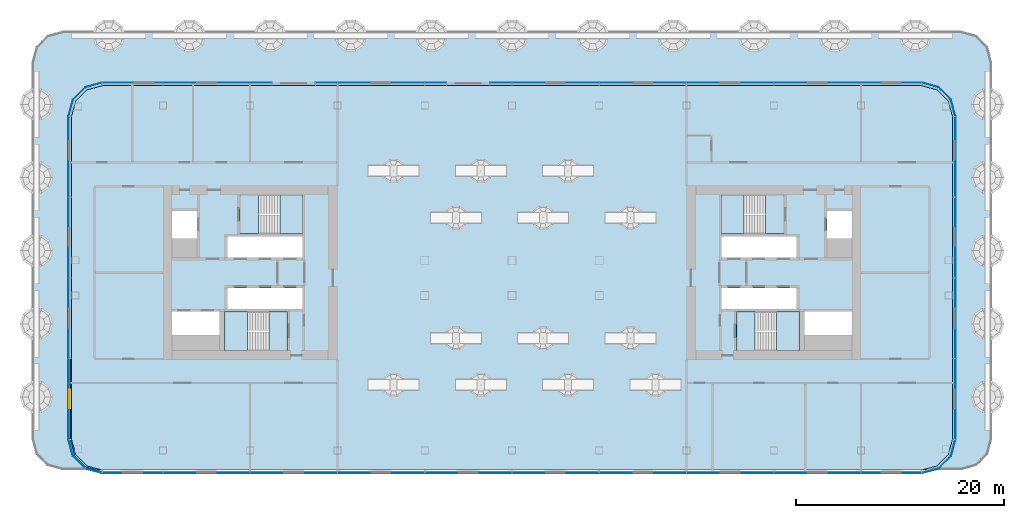
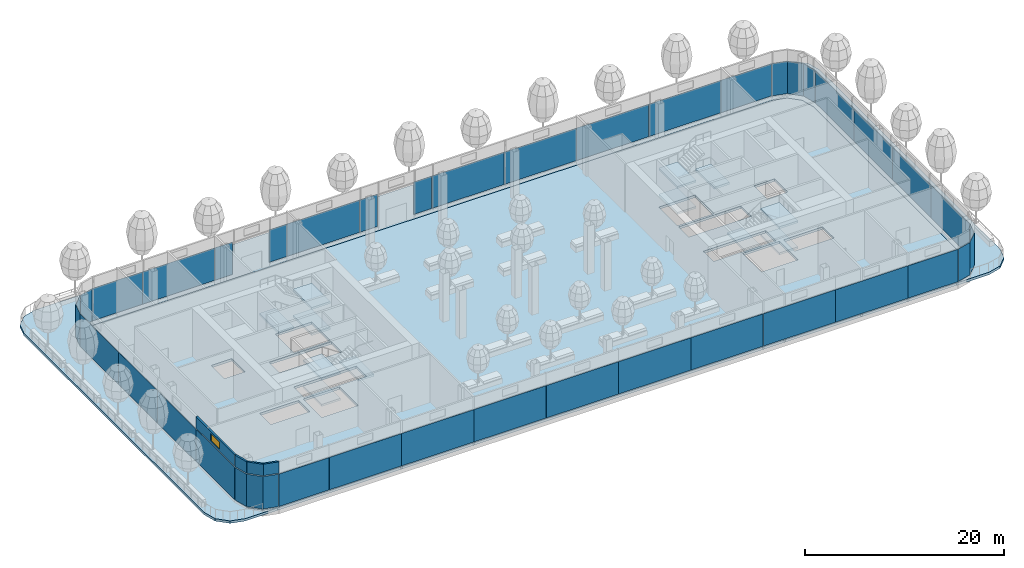
# One storey, part 11 of 43: 34 plates, 14 slabs, 4 walls, 1 window, 1 opening, 12 elements without a shape of their own.
"""IFC4 building model written with IfcOpenShell, lengths in metres."""

from ifc_helpers import new_model, si_unit, direction, frame, frame_2d, origin, origin_2d, place, context, subcontext, project, spatial, polyline, rectangle, outline, extrude, material, layer, layer_set, type_object, element, fill, aggregate, save


model = new_model("IFC4")

# Units and contexts
model_context = context("Model", 3, precision=1e-05, world=origin(), true_north=direction((0.0, 1.0)))
body_context = subcontext(model_context, "Body", "Model", "MODEL_VIEW")
ifc_project = project(units=[si_unit("LENGTHUNIT", "METRE"), si_unit("AREAUNIT", "SQUARE_METRE"), si_unit("VOLUMEUNIT", "CUBIC_METRE"), si_unit("PLANEANGLEUNIT", "RADIAN"), si_unit("MASSUNIT", "GRAM", prefix="KILO")], contexts=[model_context])

# Site, building, storey
site_placement = place(None, origin())
site = spatial("IfcSite", under=ifc_project, at=site_placement, CompositionType="ELEMENT")
building_placement = place(site_placement, origin())
building = spatial("IfcBuilding", under=site, at=building_placement, Name="Hakoniwa Tower and Hamabe Station Hall", CompositionType="ELEMENT")
storey_placement = place(building_placement, frame((0.0, 0.0, 124.60009765625)))
storey = spatial("IfcBuildingStorey", under=building, at=storey_placement, Name="L35", CompositionType="ELEMENT", Elevation=124.60009765625)

# Stair, slabs
ifc_material_1 = material(Name="Concrete C40", Category="concrete")
stair_type = type_object("IfcStairType", Name="ESCAPE STAIR 1800", PredefinedType="HALF_TURN_STAIR", material=ifc_material_1)
stair_1_placement = place(storey_placement, origin())
stair_1 = element("IfcStair", 1, at=stair_1_placement, inside=storey, type_object=stair_type, Name="Escape stair ST-1 L35", PredefinedType="HALF_TURN_STAIR")
ifc_material_2 = material(Name="Concrete C40", Category="concrete")
ifc_layer_1 = layer(ifc_material_2, 0.25)
ifc_layer_set_1 = layer_set([ifc_layer_1], Name="CORE STAIR LANDING 250")
slab_type_1 = type_object("IfcSlabType", Name="CORE STAIR LANDING 250", PredefinedType="LANDING", material=ifc_layer_set_1)
slab_1_placement = place(storey_placement, frame((0.0, 0.0, 1.349853515625)))
slab_1 = element("IfcSlab", 2, at=slab_1_placement, type_object=slab_type_1, Name="ST-1 landing 1", PredefinedType="LANDING", context=body_context, shape_type="SweptSolid", body=[
    extrude(outline(polyline([(-22.320068359375, 3.75), (-20.14990234375, 3.75), (-20.14990234375, 7.5), (-22.320068359375, 7.5), (-22.320068359375, 3.75)])), origin(), (0.0, 0.0, 1.0), 0.25),
])
slab_2_placement = place(storey_placement, frame((0.0, 0.0, 2.949951171875)))
slab_2 = element("IfcSlab", 3, at=slab_2_placement, type_object=slab_type_1, Name="ST-1 landing 2", PredefinedType="LANDING", context=body_context, shape_type="SweptSolid", body=[
    extrude(outline(polyline([(-26.199951171875, 3.75), (-24.39990234375, 3.75), (-24.39990234375, 7.5), (-26.199951171875, 7.5), (-26.199951171875, 3.75)])), origin(), (0.0, 0.0, 1.0), 0.25),
])
slab_3_placement = place(storey_placement, frame((0.0, 0.0, 4.5498046875)))
slab_3 = element("IfcSlab", 4, at=slab_3_placement, type_object=slab_type_1, Name="ST-1 landing 3", PredefinedType="LANDING", context=body_context, shape_type="SweptSolid", body=[
    extrude(outline(polyline([(-22.320068359375, 3.75), (-20.14990234375, 3.75), (-20.14990234375, 7.5), (-22.320068359375, 7.5), (-22.320068359375, 3.75)])), origin(), (0.0, 0.0, 1.0), 0.25),
])
aggregate(stair_1, [slab_1, slab_2, slab_3])

stair_2_placement = place(storey_placement, origin())
stair_2 = element("IfcStair", 5, at=stair_2_placement, inside=storey, type_object=stair_type, Name="Escape stair ST-2 L35", PredefinedType="HALF_TURN_STAIR")
slab_4_placement = place(storey_placement, frame((0.0, 0.0, 1.349853515625)))
slab_4 = element("IfcSlab", 6, at=slab_4_placement, type_object=slab_type_1, Name="ST-2 landing 1", PredefinedType="LANDING", context=body_context, shape_type="SweptSolid", body=[
    extrude(outline(polyline([(-25.47998046875, -7.5), (-27.64990234375, -7.5), (-27.64990234375, -3.75), (-25.47998046875, -3.75), (-25.47998046875, -7.5)])), origin(), (0.0, 0.0, 1.0), 0.25),
])
slab_5_placement = place(storey_placement, frame((0.0, 0.0, 2.949951171875)))
slab_5 = element("IfcSlab", 7, at=slab_5_placement, type_object=slab_type_1, Name="ST-2 landing 2", PredefinedType="LANDING", context=body_context, shape_type="SweptSolid", body=[
    extrude(outline(polyline([(-21.60009765625, -7.5), (-23.39990234375, -7.5), (-23.39990234375, -3.75), (-21.60009765625, -3.75), (-21.60009765625, -7.5)])), origin(), (0.0, 0.0, 1.0), 0.25),
])
slab_6_placement = place(storey_placement, frame((0.0, 0.0, 4.5498046875)))
slab_6 = element("IfcSlab", 8, at=slab_6_placement, type_object=slab_type_1, Name="ST-2 landing 3", PredefinedType="LANDING", context=body_context, shape_type="SweptSolid", body=[
    extrude(outline(polyline([(-25.47998046875, -7.5), (-27.64990234375, -7.5), (-27.64990234375, -3.75), (-25.47998046875, -3.75), (-25.47998046875, -7.5)])), origin(), (0.0, 0.0, 1.0), 0.25),
])
aggregate(stair_2, [slab_4, slab_5, slab_6])

stair_3_placement = place(storey_placement, origin())
stair_3 = element("IfcStair", 9, at=stair_3_placement, inside=storey, type_object=stair_type, Name="Escape stair ST-3 L35", PredefinedType="HALF_TURN_STAIR")
slab_7_placement = place(storey_placement, frame((0.0, 0.0, 1.349853515625)))
slab_7 = element("IfcSlab", 10, at=slab_7_placement, type_object=slab_type_1, Name="ST-3 landing 1", PredefinedType="LANDING", context=body_context, shape_type="SweptSolid", body=[
    extrude(outline(polyline([(22.320068359375, 3.75), (20.14990234375, 3.75), (20.14990234375, 7.5), (22.320068359375, 7.5), (22.320068359375, 3.75)])), origin(), (0.0, 0.0, 1.0), 0.25),
])
slab_8_placement = place(storey_placement, frame((0.0, 0.0, 2.949951171875)))
slab_8 = element("IfcSlab", 11, at=slab_8_placement, type_object=slab_type_1, Name="ST-3 landing 2", PredefinedType="LANDING", context=body_context, shape_type="SweptSolid", body=[
    extrude(outline(polyline([(26.199951171875, 3.75), (24.39990234375, 3.75), (24.39990234375, 7.5), (26.199951171875, 7.5), (26.199951171875, 3.75)])), origin(), (0.0, 0.0, 1.0), 0.25),
])
slab_9_placement = place(storey_placement, frame((0.0, 0.0, 4.5498046875)))
slab_9 = element("IfcSlab", 12, at=slab_9_placement, type_object=slab_type_1, Name="ST-3 landing 3", PredefinedType="LANDING", context=body_context, shape_type="SweptSolid", body=[
    extrude(outline(polyline([(22.320068359375, 3.75), (20.14990234375, 3.75), (20.14990234375, 7.5), (22.320068359375, 7.5), (22.320068359375, 3.75)])), origin(), (0.0, 0.0, 1.0), 0.25),
])
aggregate(stair_3, [slab_7, slab_8, slab_9])

stair_4_placement = place(storey_placement, origin())
stair_4 = element("IfcStair", 13, at=stair_4_placement, inside=storey, type_object=stair_type, Name="Escape stair ST-4 L35", PredefinedType="HALF_TURN_STAIR")
slab_10_placement = place(storey_placement, frame((0.0, 0.0, 1.349853515625)))
slab_10 = element("IfcSlab", 14, at=slab_10_placement, type_object=slab_type_1, Name="ST-4 landing 1", PredefinedType="LANDING", context=body_context, shape_type="SweptSolid", body=[
    extrude(outline(polyline([(25.47998046875, -7.5), (27.64990234375, -7.5), (27.64990234375, -3.75), (25.47998046875, -3.75), (25.47998046875, -7.5)])), origin(), (0.0, 0.0, 1.0), 0.25),
])
slab_11_placement = place(storey_placement, frame((0.0, 0.0, 2.949951171875)))
slab_11 = element("IfcSlab", 15, at=slab_11_placement, type_object=slab_type_1, Name="ST-4 landing 2", PredefinedType="LANDING", context=body_context, shape_type="SweptSolid", body=[
    extrude(outline(polyline([(21.60009765625, -7.5), (23.39990234375, -7.5), (23.39990234375, -3.75), (21.60009765625, -3.75), (21.60009765625, -7.5)])), origin(), (0.0, 0.0, 1.0), 0.25),
])
slab_12_placement = place(storey_placement, frame((0.0, 0.0, 4.5498046875)))
slab_12 = element("IfcSlab", 16, at=slab_12_placement, type_object=slab_type_1, Name="ST-4 landing 3", PredefinedType="LANDING", context=body_context, shape_type="SweptSolid", body=[
    extrude(outline(polyline([(25.47998046875, -7.5), (27.64990234375, -7.5), (27.64990234375, -3.75), (25.47998046875, -3.75), (25.47998046875, -7.5)])), origin(), (0.0, 0.0, 1.0), 0.25),
])
aggregate(stair_4, [slab_10, slab_11, slab_12])

# Curtain wall, plates
ifc_material_3 = material(Name="Dark low-e laminated glass", Category="glass")
ifc_layer_2 = layer(ifc_material_3, 0.199951171875)
ifc_layer_set_2 = layer_set([ifc_layer_2], Name="CW-2 SKY GARDEN")
curtain_wall_type = type_object("IfcCurtainWallType", Name="CW-2 SKY GARDEN", PredefinedType="NOTDEFINED", material=ifc_layer_set_2)
curtain_wall_1_placement = place(storey_placement, origin())
curtain_wall_1 = element("IfcCurtainWall", 17, at=curtain_wall_1_placement, inside=storey, type_object=curtain_wall_type, Name="CW-2 curtain wall", PredefinedType="NOTDEFINED")
ifc_material_4 = material(Name="Dark low-e laminated glass", Category="glass")
ifc_layer_3 = layer(ifc_material_4, 0.031982421875)
ifc_layer_set_3 = layer_set([ifc_layer_3], Name="CW-2 GARDEN GLASS UNIT")
plate_type = type_object("IfcPlateType", Name="CW-2 GARDEN GLASS UNIT", PredefinedType="CURTAIN_PANEL", material=ifc_layer_set_3)
plate_1_placement = place(storey_placement, frame((42.68603515625, -12.154541015625, 0.349853515625), z_axis=(0.0, 0.0, 1.0), x_axis=(0.0, 1.0, 0.0)))
plate_1 = element("IfcPlate", 18, at=plate_1_placement, type_object=plate_type, Name="CW-2 glass unit", PredefinedType="CURTAIN_PANEL", context=body_context, shape_type="SweptSolid", body=[
    extrude(rectangle(XDim=7.749755859375, YDim=0.031982421875, at=origin_2d()), origin(), (0.0, 0.0, 1.0), 3.97998046875),
])
plate_2_placement = place(storey_placement, frame((42.68603515625, -4.384765625, 0.349853515625), z_axis=(0.0, 0.0, 1.0), x_axis=(0.0, 1.0, 0.0)))
plate_2 = element("IfcPlate", 19, at=plate_2_placement, type_object=plate_type, Name="CW-2 glass unit", PredefinedType="CURTAIN_PANEL", context=body_context, shape_type="SweptSolid", body=[
    extrude(rectangle(XDim=7.749755859375, YDim=0.031982421875, at=origin_2d()), origin(), (0.0, 0.0, 1.0), 3.97998046875),
])
plate_3_placement = place(storey_placement, frame((42.68603515625, 3.384765625, 0.349853515625), z_axis=(0.0, 0.0, 1.0), x_axis=(0.0, 1.0, 0.0)))
plate_3 = element("IfcPlate", 20, at=plate_3_placement, type_object=plate_type, Name="CW-2 glass unit", PredefinedType="CURTAIN_PANEL", context=body_context, shape_type="SweptSolid", body=[
    extrude(rectangle(XDim=7.749755859375, YDim=0.031982421875, at=origin_2d()), origin(), (0.0, 0.0, 1.0), 3.97998046875),
])
plate_4_placement = place(storey_placement, frame((42.68603515625, 11.154541015625, 0.349853515625), z_axis=(0.0, 0.0, 1.0), x_axis=(0.0, 1.0, 0.0)))
plate_4 = element("IfcPlate", 21, at=plate_4_placement, type_object=plate_type, Name="CW-2 glass unit", PredefinedType="CURTAIN_PANEL", context=body_context, shape_type="SweptSolid", body=[
    extrude(rectangle(XDim=7.749755859375, YDim=0.031982421875, at=origin_2d()), origin(), (0.0, 0.0, 1.0), 3.97998046875),
])
aggregate(curtain_wall_1, [plate_1, plate_2, plate_3, plate_4])

# Curtain wall, plate
curtain_wall_2_placement = place(storey_placement, origin())
curtain_wall_2 = element("IfcCurtainWall", 22, at=curtain_wall_2_placement, inside=storey, type_object=curtain_wall_type, Name="CW-2 curtain wall", PredefinedType="NOTDEFINED")
plate_5_placement = place(storey_placement, frame((0.0, 0.0, 0.349853515625)))
plate_5 = element("IfcPlate", 23, at=plate_5_placement, type_object=plate_type, Name="CW-2 curved corner unit", PredefinedType="CURTAIN_PANEL", context=body_context, shape_type="SweptSolid", body=[
    extrude(outline(polyline([(42.689697265625, 15.078125), (42.26708984375, 16.6552734375), (41.05517578125, 17.866943359375), (39.47802734375, 18.28955078125), (39.470947265625, 18.2626953125), (41.040771484375, 17.842041015625), (42.241943359375, 16.640869140625), (42.66259765625, 15.07080078125), (42.689697265625, 15.078125)])), origin(), (0.0, 0.0, 1.0), 3.97998046875),
])
aggregate(curtain_wall_2, [plate_5])

# Curtain wall, plates
curtain_wall_3_placement = place(storey_placement, origin())
curtain_wall_3 = element("IfcCurtainWall", 24, at=curtain_wall_3_placement, inside=storey, type_object=curtain_wall_type, Name="CW-2 curtain wall", PredefinedType="NOTDEFINED")
plate_6_placement = place(storey_placement, frame((36.519775390625, 18.285888671875, 0.349853515625), z_axis=(0.0, 0.0, 1.0), x_axis=(-1.0, 0.0, 0.0)))
plate_6 = element("IfcPlate", 25, at=plate_6_placement, type_object=plate_type, Name="CW-2 glass unit", PredefinedType="CURTAIN_PANEL", context=body_context, shape_type="SweptSolid", body=[
    extrude(rectangle(XDim=5.819580078125, YDim=0.031982421875, at=origin_2d()), origin(), (0.0, 0.0, 1.0), 3.97998046875),
])
plate_7_placement = place(storey_placement, frame((29.39990234375, 18.285888671875, 0.349853515625), z_axis=(0.0, 0.0, 1.0), x_axis=(-1.0, 0.0, 0.0)))
plate_7 = element("IfcPlate", 26, at=plate_7_placement, type_object=plate_type, Name="CW-2 glass unit", PredefinedType="CURTAIN_PANEL", context=body_context, shape_type="SweptSolid", body=[
    extrude(rectangle(XDim=8.3798828125, YDim=0.031982421875, at=origin_2d()), origin(), (0.0, 0.0, 1.0), 3.97998046875),
])
plate_8_placement = place(storey_placement, frame((21.0, 18.285888671875, 0.349853515625), z_axis=(0.0, 0.0, 1.0), x_axis=(-1.0, 0.0, 0.0)))
plate_8 = element("IfcPlate", 27, at=plate_8_placement, type_object=plate_type, Name="CW-2 glass unit", PredefinedType="CURTAIN_PANEL", context=body_context, shape_type="SweptSolid", body=[
    extrude(rectangle(XDim=8.3798828125, YDim=0.031982421875, at=origin_2d()), origin(), (0.0, 0.0, 1.0), 3.97998046875),
])
plate_9_placement = place(storey_placement, frame((12.60009765625, 18.285888671875, 0.349853515625), z_axis=(0.0, 0.0, 1.0), x_axis=(-1.0, 0.0, 0.0)))
plate_9 = element("IfcPlate", 28, at=plate_9_placement, type_object=plate_type, Name="CW-2 glass unit", PredefinedType="CURTAIN_PANEL", context=body_context, shape_type="SweptSolid", body=[
    extrude(rectangle(XDim=8.3798828125, YDim=0.031982421875, at=origin_2d()), origin(), (0.0, 0.0, 1.0), 3.97998046875),
])
plate_10_placement = place(storey_placement, frame((4.199951171875, 18.285888671875, 0.349853515625), z_axis=(0.0, 0.0, 1.0), x_axis=(-1.0, 0.0, 0.0)))
plate_10 = element("IfcPlate", 29, at=plate_10_placement, type_object=plate_type, Name="CW-2 glass unit", PredefinedType="CURTAIN_PANEL", context=body_context, shape_type="SweptSolid", body=[
    extrude(rectangle(XDim=8.3798828125, YDim=0.031982421875, at=origin_2d()), origin(), (0.0, 0.0, 1.0), 3.97998046875),
])
plate_11_placement = place(storey_placement, frame((-1.050048828125, 18.285888671875, 0.349853515625), z_axis=(0.0, 0.0, 1.0), x_axis=(-1.0, 0.0, 0.0)))
plate_11 = element("IfcPlate", 30, at=plate_11_placement, type_object=plate_type, Name="CW-2 glass unit", PredefinedType="CURTAIN_PANEL", context=body_context, shape_type="SweptSolid", body=[
    extrude(rectangle(XDim=2.080078125, YDim=0.031982421875, at=origin_2d()), origin(), (0.0, 0.0, 1.0), 3.97998046875),
])
plate_12_placement = place(storey_placement, frame((-7.35009765625, 18.285888671875, 0.349853515625), z_axis=(0.0, 0.0, 1.0), x_axis=(-1.0, 0.0, 0.0)))
plate_12 = element("IfcPlate", 31, at=plate_12_placement, type_object=plate_type, Name="CW-2 glass unit", PredefinedType="CURTAIN_PANEL", context=body_context, shape_type="SweptSolid", body=[
    extrude(rectangle(XDim=2.080078125, YDim=0.031982421875, at=origin_2d()), origin(), (0.0, 0.0, 1.0), 3.97998046875),
])
plate_13_placement = place(storey_placement, frame((-12.60009765625, 18.285888671875, 0.349853515625), z_axis=(0.0, 0.0, 1.0), x_axis=(-1.0, 0.0, 0.0)))
plate_13 = element("IfcPlate", 32, at=plate_13_placement, type_object=plate_type, Name="CW-2 glass unit", PredefinedType="CURTAIN_PANEL", context=body_context, shape_type="SweptSolid", body=[
    extrude(rectangle(XDim=8.3798828125, YDim=0.031982421875, at=origin_2d()), origin(), (0.0, 0.0, 1.0), 3.97998046875),
])
plate_14_placement = place(storey_placement, frame((-17.85009765625, 18.285888671875, 0.349853515625), z_axis=(0.0, 0.0, 1.0), x_axis=(-1.0, 0.0, 0.0)))
plate_14 = element("IfcPlate", 33, at=plate_14_placement, type_object=plate_type, Name="CW-2 glass unit", PredefinedType="CURTAIN_PANEL", context=body_context, shape_type="SweptSolid", body=[
    extrude(rectangle(XDim=2.080078125, YDim=0.031982421875, at=origin_2d()), origin(), (0.0, 0.0, 1.0), 3.97998046875),
])
plate_15_placement = place(storey_placement, frame((-24.14990234375, 18.285888671875, 0.349853515625), z_axis=(0.0, 0.0, 1.0), x_axis=(-1.0, 0.0, 0.0)))
plate_15 = element("IfcPlate", 34, at=plate_15_placement, type_object=plate_type, Name="CW-2 glass unit", PredefinedType="CURTAIN_PANEL", context=body_context, shape_type="SweptSolid", body=[
    extrude(rectangle(XDim=2.080078125, YDim=0.031982421875, at=origin_2d()), origin(), (0.0, 0.0, 1.0), 3.97998046875),
])
plate_16_placement = place(storey_placement, frame((-29.39990234375, 18.285888671875, 0.349853515625), z_axis=(0.0, 0.0, 1.0), x_axis=(-1.0, 0.0, 0.0)))
plate_16 = element("IfcPlate", 35, at=plate_16_placement, type_object=plate_type, Name="CW-2 glass unit", PredefinedType="CURTAIN_PANEL", context=body_context, shape_type="SweptSolid", body=[
    extrude(rectangle(XDim=8.3798828125, YDim=0.031982421875, at=origin_2d()), origin(), (0.0, 0.0, 1.0), 3.97998046875),
])
plate_17_placement = place(storey_placement, frame((-36.519775390625, 18.285888671875, 0.349853515625), z_axis=(0.0, 0.0, 1.0), x_axis=(-1.0, 0.0, 0.0)))
plate_17 = element("IfcPlate", 36, at=plate_17_placement, type_object=plate_type, Name="CW-2 glass unit", PredefinedType="CURTAIN_PANEL", context=body_context, shape_type="SweptSolid", body=[
    extrude(rectangle(XDim=5.819580078125, YDim=0.031982421875, at=origin_2d()), origin(), (0.0, 0.0, 1.0), 3.97998046875),
])
aggregate(curtain_wall_3, [plate_6, plate_7, plate_8, plate_9, plate_10, plate_11, plate_12, plate_13, plate_14, plate_15, plate_16, plate_17])

# Curtain wall, plate
curtain_wall_4_placement = place(storey_placement, origin())
curtain_wall_4 = element("IfcCurtainWall", 37, at=curtain_wall_4_placement, inside=storey, type_object=curtain_wall_type, Name="CW-2 curtain wall", PredefinedType="NOTDEFINED")
plate_18_placement = place(storey_placement, frame((0.0, 0.0, 0.349853515625)))
plate_18 = element("IfcPlate", 38, at=plate_18_placement, type_object=plate_type, Name="CW-2 curved corner unit", PredefinedType="CURTAIN_PANEL", context=body_context, shape_type="SweptSolid", body=[
    extrude(outline(polyline([(-39.47802734375, 18.28955078125), (-41.05517578125, 17.866943359375), (-42.26708984375, 16.6552734375), (-42.689697265625, 15.078125), (-42.66259765625, 15.07080078125), (-42.241943359375, 16.640869140625), (-41.040771484375, 17.842041015625), (-39.470947265625, 18.2626953125), (-39.47802734375, 18.28955078125)])), origin(), (0.0, 0.0, 1.0), 3.97998046875),
])
aggregate(curtain_wall_4, [plate_18])

# Curtain wall, plates
curtain_wall_5_placement = place(storey_placement, origin())
curtain_wall_5 = element("IfcCurtainWall", 39, at=curtain_wall_5_placement, inside=storey, type_object=curtain_wall_type, Name="CW-2 curtain wall", PredefinedType="NOTDEFINED")
plate_19_placement = place(storey_placement, frame((-42.68603515625, 11.154541015625, 0.349853515625), z_axis=(0.0, 0.0, 1.0), x_axis=(0.0, -1.0, 0.0)))
plate_19 = element("IfcPlate", 40, at=plate_19_placement, type_object=plate_type, Name="CW-2 glass unit", PredefinedType="CURTAIN_PANEL", context=body_context, shape_type="SweptSolid", body=[
    extrude(rectangle(XDim=7.749755859375, YDim=0.031982421875, at=origin_2d()), origin(), (0.0, 0.0, 1.0), 3.97998046875),
])
plate_20_placement = place(storey_placement, frame((-42.68603515625, 3.384765625, 0.349853515625), z_axis=(0.0, 0.0, 1.0), x_axis=(0.0, -1.0, 0.0)))
plate_20 = element("IfcPlate", 41, at=plate_20_placement, type_object=plate_type, Name="CW-2 glass unit", PredefinedType="CURTAIN_PANEL", context=body_context, shape_type="SweptSolid", body=[
    extrude(rectangle(XDim=7.749755859375, YDim=0.031982421875, at=origin_2d()), origin(), (0.0, 0.0, 1.0), 3.97998046875),
])
plate_21_placement = place(storey_placement, frame((-42.68603515625, -4.384765625, 0.349853515625), z_axis=(0.0, 0.0, 1.0), x_axis=(0.0, -1.0, 0.0)))
plate_21 = element("IfcPlate", 42, at=plate_21_placement, type_object=plate_type, Name="CW-2 glass unit", PredefinedType="CURTAIN_PANEL", context=body_context, shape_type="SweptSolid", body=[
    extrude(rectangle(XDim=7.749755859375, YDim=0.031982421875, at=origin_2d()), origin(), (0.0, 0.0, 1.0), 3.97998046875),
])
plate_22_placement = place(storey_placement, frame((-42.68603515625, -12.154541015625, 0.349853515625), z_axis=(0.0, 0.0, 1.0), x_axis=(0.0, -1.0, 0.0)))
plate_22 = element("IfcPlate", 43, at=plate_22_placement, type_object=plate_type, Name="CW-2 glass unit", PredefinedType="CURTAIN_PANEL", context=body_context, shape_type="SweptSolid", body=[
    extrude(rectangle(XDim=7.749755859375, YDim=0.031982421875, at=origin_2d()), origin(), (0.0, 0.0, 1.0), 3.97998046875),
])

# Curtain wall, plate
curtain_wall_6_placement = place(storey_placement, origin())
curtain_wall_6 = element("IfcCurtainWall", 44, at=curtain_wall_6_placement, inside=storey, type_object=curtain_wall_type, Name="CW-2 curtain wall", PredefinedType="NOTDEFINED")
plate_23_placement = place(storey_placement, frame((0.0, 0.0, 0.349853515625)))
plate_23 = element("IfcPlate", 45, at=plate_23_placement, type_object=plate_type, Name="CW-2 curved corner unit", PredefinedType="CURTAIN_PANEL", context=body_context, shape_type="SweptSolid", body=[
    extrude(outline(polyline([(-42.689697265625, -16.078125), (-42.26708984375, -17.6552734375), (-41.05517578125, -18.866943359375), (-39.47802734375, -19.28955078125), (-39.470947265625, -19.2626953125), (-41.040771484375, -18.842041015625), (-42.241943359375, -17.640869140625), (-42.66259765625, -16.07080078125), (-42.689697265625, -16.078125)])), origin(), (0.0, 0.0, 1.0), 3.97998046875),
])

# Curtain wall, plates
curtain_wall_7_placement = place(storey_placement, origin())
curtain_wall_7 = element("IfcCurtainWall", 46, at=curtain_wall_7_placement, inside=storey, type_object=curtain_wall_type, Name="CW-2 curtain wall", PredefinedType="NOTDEFINED")
plate_24_placement = place(storey_placement, frame((-36.519775390625, -19.285888671875, 0.349853515625), z_axis=(0.0, 0.0, 1.0), x_axis=(1.0, 0.0, 0.0)))
plate_24 = element("IfcPlate", 47, at=plate_24_placement, type_object=plate_type, Name="CW-2 glass unit", PredefinedType="CURTAIN_PANEL", context=body_context, shape_type="SweptSolid", body=[
    extrude(rectangle(XDim=5.819580078125, YDim=0.031982421875, at=origin_2d()), origin(), (0.0, 0.0, 1.0), 3.97998046875),
])
plate_25_placement = place(storey_placement, frame((-29.39990234375, -19.285888671875, 0.349853515625), z_axis=(0.0, 0.0, 1.0), x_axis=(1.0, 0.0, 0.0)))
plate_25 = element("IfcPlate", 48, at=plate_25_placement, type_object=plate_type, Name="CW-2 glass unit", PredefinedType="CURTAIN_PANEL", context=body_context, shape_type="SweptSolid", body=[
    extrude(rectangle(XDim=8.3798828125, YDim=0.031982421875, at=origin_2d()), origin(), (0.0, 0.0, 1.0), 3.97998046875),
])
plate_26_placement = place(storey_placement, frame((-21.0, -19.285888671875, 0.349853515625), z_axis=(0.0, 0.0, 1.0), x_axis=(1.0, 0.0, 0.0)))
plate_26 = element("IfcPlate", 49, at=plate_26_placement, type_object=plate_type, Name="CW-2 glass unit", PredefinedType="CURTAIN_PANEL", context=body_context, shape_type="SweptSolid", body=[
    extrude(rectangle(XDim=8.3798828125, YDim=0.031982421875, at=origin_2d()), origin(), (0.0, 0.0, 1.0), 3.97998046875),
])
plate_27_placement = place(storey_placement, frame((-12.60009765625, -19.285888671875, 0.349853515625), z_axis=(0.0, 0.0, 1.0), x_axis=(1.0, 0.0, 0.0)))
plate_27 = element("IfcPlate", 50, at=plate_27_placement, type_object=plate_type, Name="CW-2 glass unit", PredefinedType="CURTAIN_PANEL", context=body_context, shape_type="SweptSolid", body=[
    extrude(rectangle(XDim=8.3798828125, YDim=0.031982421875, at=origin_2d()), origin(), (0.0, 0.0, 1.0), 3.97998046875),
])
plate_28_placement = place(storey_placement, frame((-4.199951171875, -19.285888671875, 0.349853515625), z_axis=(0.0, 0.0, 1.0), x_axis=(1.0, 0.0, 0.0)))
plate_28 = element("IfcPlate", 51, at=plate_28_placement, type_object=plate_type, Name="CW-2 glass unit", PredefinedType="CURTAIN_PANEL", context=body_context, shape_type="SweptSolid", body=[
    extrude(rectangle(XDim=8.3798828125, YDim=0.031982421875, at=origin_2d()), origin(), (0.0, 0.0, 1.0), 3.97998046875),
])
plate_29_placement = place(storey_placement, frame((4.199951171875, -19.285888671875, 0.349853515625), z_axis=(0.0, 0.0, 1.0), x_axis=(1.0, 0.0, 0.0)))
plate_29 = element("IfcPlate", 52, at=plate_29_placement, type_object=plate_type, Name="CW-2 glass unit", PredefinedType="CURTAIN_PANEL", context=body_context, shape_type="SweptSolid", body=[
    extrude(rectangle(XDim=8.3798828125, YDim=0.031982421875, at=origin_2d()), origin(), (0.0, 0.0, 1.0), 3.97998046875),
])
plate_30_placement = place(storey_placement, frame((12.60009765625, -19.285888671875, 0.349853515625), z_axis=(0.0, 0.0, 1.0), x_axis=(1.0, 0.0, 0.0)))
plate_30 = element("IfcPlate", 53, at=plate_30_placement, type_object=plate_type, Name="CW-2 glass unit", PredefinedType="CURTAIN_PANEL", context=body_context, shape_type="SweptSolid", body=[
    extrude(rectangle(XDim=8.3798828125, YDim=0.031982421875, at=origin_2d()), origin(), (0.0, 0.0, 1.0), 3.97998046875),
])
plate_31_placement = place(storey_placement, frame((21.0, -19.285888671875, 0.349853515625), z_axis=(0.0, 0.0, 1.0), x_axis=(1.0, 0.0, 0.0)))
plate_31 = element("IfcPlate", 54, at=plate_31_placement, type_object=plate_type, Name="CW-2 glass unit", PredefinedType="CURTAIN_PANEL", context=body_context, shape_type="SweptSolid", body=[
    extrude(rectangle(XDim=8.3798828125, YDim=0.031982421875, at=origin_2d()), origin(), (0.0, 0.0, 1.0), 3.97998046875),
])
plate_32_placement = place(storey_placement, frame((29.39990234375, -19.285888671875, 0.349853515625), z_axis=(0.0, 0.0, 1.0), x_axis=(1.0, 0.0, 0.0)))
plate_32 = element("IfcPlate", 55, at=plate_32_placement, type_object=plate_type, Name="CW-2 glass unit", PredefinedType="CURTAIN_PANEL", context=body_context, shape_type="SweptSolid", body=[
    extrude(rectangle(XDim=8.3798828125, YDim=0.031982421875, at=origin_2d()), origin(), (0.0, 0.0, 1.0), 3.97998046875),
])
plate_33_placement = place(storey_placement, frame((36.519775390625, -19.285888671875, 0.349853515625), z_axis=(0.0, 0.0, 1.0), x_axis=(1.0, 0.0, 0.0)))
plate_33 = element("IfcPlate", 56, at=plate_33_placement, type_object=plate_type, Name="CW-2 glass unit", PredefinedType="CURTAIN_PANEL", context=body_context, shape_type="SweptSolid", body=[
    extrude(rectangle(XDim=5.819580078125, YDim=0.031982421875, at=origin_2d()), origin(), (0.0, 0.0, 1.0), 3.97998046875),
])
aggregate(curtain_wall_7, [plate_24, plate_25, plate_26, plate_27, plate_28, plate_29, plate_30, plate_31, plate_32, plate_33])

# Curtain wall, plate
curtain_wall_8_placement = place(storey_placement, origin())
curtain_wall_8 = element("IfcCurtainWall", 57, at=curtain_wall_8_placement, inside=storey, type_object=curtain_wall_type, Name="CW-2 curtain wall", PredefinedType="NOTDEFINED")
plate_34_placement = place(storey_placement, frame((0.0, 0.0, 0.349853515625)))
plate_34 = element("IfcPlate", 58, at=plate_34_placement, type_object=plate_type, Name="CW-2 curved corner unit", PredefinedType="CURTAIN_PANEL", context=body_context, shape_type="SweptSolid", body=[
    extrude(outline(polyline([(39.47802734375, -19.28955078125), (41.05517578125, -18.866943359375), (42.26708984375, -17.6552734375), (42.689697265625, -16.078125), (42.66259765625, -16.07080078125), (42.241943359375, -17.640869140625), (41.040771484375, -18.842041015625), (39.470947265625, -19.2626953125), (39.47802734375, -19.28955078125)])), origin(), (0.0, 0.0, 1.0), 3.97998046875),
])
aggregate(curtain_wall_8, [plate_34])

# Slabs
ifc_material_5 = material(Name="Concrete C40", Category="concrete")
ifc_layer_4 = layer(ifc_material_5, 0.300048828125)
ifc_layer_set_4 = layer_set([ifc_layer_4], Name="GARDEN FLOOR SLAB 300")
slab_type_2 = type_object("IfcSlabType", Name="GARDEN FLOOR SLAB 300", PredefinedType="FLOOR", material=ifc_layer_set_4)
slab_13_placement = place(storey_placement, frame((0.0, 0.0, -0.300048828125)))
element("IfcSlab", 59, at=slab_13_placement, inside=storey, type_object=slab_type_2, Name="Floor slab L35", PredefinedType="FLOOR", context=body_context, shape_type="SweptSolid", body=[
    extrude(outline(polyline([(42.39990234375, -16.0), (42.39990234375, 15.0), (41.998046875, 16.5), (40.89990234375, 17.59814453125), (39.39990234375, 18.0), (-39.39990234375, 18.0), (-40.89990234375, 17.59814453125), (-41.998046875, 16.5), (-42.39990234375, 15.0), (-42.39990234375, -16.0), (-41.998046875, -17.5), (-40.89990234375, -18.59814453125), (-39.39990234375, -19.0), (39.39990234375, -19.0), (40.89990234375, -18.59814453125), (41.998046875, -17.5), (42.39990234375, -16.0)]), holes=[polyline([(-27.39990234375, 1.449951171875), (-27.39990234375, 3.5), (-20.14990234375, 3.5), (-20.14990234375, 1.449951171875), (-27.39990234375, 1.449951171875)]), polyline([(-27.39990234375, -3.5), (-27.39990234375, -1.449951171875), (-20.14990234375, -1.449951171875), (-20.14990234375, -3.5), (-27.39990234375, -3.5)]), polyline([(-32.699951171875, 3.300048828125), (-32.699951171875, 5.949951171875), (-30.300048828125, 5.949951171875), (-30.300048828125, 3.300048828125), (-32.699951171875, 3.300048828125)]), polyline([(-32.699951171875, -6.0), (-32.699951171875, -3.75), (-28.14990234375, -3.75), (-28.14990234375, -6.0), (-32.699951171875, -6.0)]), polyline([(-24.389892578125, 3.75), (-24.389892578125, 7.5), (-20.14990234375, 7.5), (-20.14990234375, 3.75), (-24.389892578125, 3.75)]), polyline([(-27.64990234375, -7.5), (-27.64990234375, -3.75), (-23.409912109375, -3.75), (-23.409912109375, -7.5), (-27.64990234375, -7.5)]), polyline([(20.14990234375, 1.449951171875), (20.14990234375, 3.5), (27.39990234375, 3.5), (27.39990234375, 1.449951171875), (20.14990234375, 1.449951171875)]), polyline([(20.14990234375, -3.5), (20.14990234375, -1.449951171875), (27.39990234375, -1.449951171875), (27.39990234375, -3.5), (20.14990234375, -3.5)]), polyline([(30.300048828125, 3.300048828125), (30.300048828125, 5.949951171875), (32.699951171875, 5.949951171875), (32.699951171875, 3.300048828125), (30.300048828125, 3.300048828125)]), polyline([(28.14990234375, -6.0), (28.14990234375, -3.75), (32.699951171875, -3.75), (32.699951171875, -6.0), (28.14990234375, -6.0)]), polyline([(20.14990234375, 3.75), (20.14990234375, 7.5), (24.389892578125, 7.5), (24.389892578125, 3.75), (20.14990234375, 3.75)]), polyline([(23.409912109375, -7.5), (23.409912109375, -3.75), (27.64990234375, -3.75), (27.64990234375, -7.5), (23.409912109375, -7.5)])]), origin(), (0.0, 0.0, 1.0), 0.300048828125),
])
ifc_material_6 = material(Name="Concrete C40", Category="concrete")
ifc_layer_5 = layer(ifc_material_6, 0.300048828125)
ifc_layer_set_5 = layer_set([ifc_layer_5], Name="TERRACE SLAB 300")
slab_type_3 = type_object("IfcSlabType", Name="TERRACE SLAB 300", PredefinedType="FLOOR", material=ifc_layer_set_5)
slab_14_placement = place(storey_placement, frame((0.0, 0.0, -0.300048828125)))
element("IfcSlab", 60, at=slab_14_placement, inside=storey, type_object=slab_type_3, Name="Terrace slab L35-1", PredefinedType="FLOOR", context=body_context, shape_type="SweptSolid", body=[
    extrude(outline(polyline([(-43.199951171875, -19.0009765625), (-39.40380859375, -19.0009765625), (-39.40283203125, -19.0), (-39.403564453125, -18.9990234375), (-40.89990234375, -18.59814453125), (-41.998046875, -17.5), (-42.39990234375, -16.0), (-42.39990234375, 15.0), (-41.998046875, 16.5), (-40.89990234375, 17.59814453125), (-39.39990234375, 18.0), (39.39990234375, 18.0), (40.89990234375, 17.59814453125), (41.998046875, 16.5), (42.39990234375, 15.0), (42.39990234375, -16.0), (41.998046875, -17.5), (40.89990234375, -18.59814453125), (39.403564453125, -18.9990234375), (39.40283203125, -19.0), (39.40380859375, -19.0009765625), (43.2001953125, -19.0009765625), (44.700439453125, -18.59912109375), (45.798828125, -17.50048828125), (46.200927734375, -16.0), (46.200927734375, 20.25), (45.799072265625, 21.75048828125), (44.700439453125, 22.848876953125), (43.199951171875, 23.2509765625), (-43.199951171875, 23.2509765625), (-44.700439453125, 22.84912109375), (-45.798828125, 21.75048828125), (-46.200927734375, 20.25), (-46.200927734375, -16.0), (-45.798828125, -17.500732421875), (-44.700439453125, -18.59912109375), (-43.199951171875, -19.0009765625)])), origin(), (0.0, 0.0, 1.0), 0.300048828125),
])

# Wall, opening, window
ifc_material_7 = material(Name="Dark glass-faced aluminium panel", Category="aluminium")
ifc_layer_6 = layer(ifc_material_7, 0.199951171875)
ifc_layer_set_6 = layer_set([ifc_layer_6], Name="VENT BAND WALL")
wall_type = type_object("IfcWallType", Name="VENT BAND WALL", PredefinedType="NOTDEFINED", material=ifc_layer_set_6)
wall_1_placement = place(storey_placement, frame((-42.60009765625, -8.269775390625, 4.449951171875), z_axis=(0.0, 0.0, 1.0), x_axis=(0.0, -1.0, 0.0)))
wall_1 = element("IfcWall", 61, at=wall_1_placement, type_object=wall_type, Name="Vent band wall", PredefinedType="NOTDEFINED", context=body_context, shape_type="SweptSolid", body=[
    extrude(rectangle(XDim=7.73974609375, YDim=0.199951171875, at=frame_2d((3.869873046875, 0.0))), origin(), (0.0, 0.0, 1.0), 1.39990234375),
])
opening_placement = place(wall_1_placement, frame((2.969970703125, 0.0, 0.25)))
opening = element("IfcOpeningElement", 62, at=opening_placement, cuts=wall_1, Name="Opening VW-1", PredefinedType="OPENING", context=body_context, shape_type="SweptSolid", body=[
    extrude(rectangle(XDim=1.800048828125, YDim=0.89990234375, at=frame_2d((0.89990234375, 0.449951171875))), frame((0.0, 0.10986328125, 0.0), z_axis=(0.0, -1.0, 0.0), x_axis=(1.0, 0.0, 0.0)), (0.0, 0.0, 1.0), 0.219970703125),
])
ifc_material_8 = material(Name="Dark low-e laminated glass", Category="glass")
window_type = type_object("IfcWindowType", Name="VENT WINDOW 1800X900", PartitioningType="SINGLE_PANEL", PredefinedType="WINDOW", material=ifc_material_8)
window_placement = place(opening_placement, origin())
window = element("IfcWindow", 63, at=window_placement, inside=storey, type_object=window_type, Name="Vent window", OverallHeight=0.89990234375, OverallWidth=1.800048828125, PartitioningType="SINGLE_PANEL", PredefinedType="WINDOW", context=body_context, shape_type="SweptSolid", body=[
    extrude(rectangle(XDim=1.800048828125, YDim=0.89990234375, at=frame_2d((0.89990234375, 0.449951171875))), frame((0.0, 0.030029296875, 0.0), z_axis=(0.0, -1.0, 0.0), x_axis=(1.0, 0.0, 0.0)), (0.0, 0.0, 1.0), 0.06005859375),
])
fill(opening, window)

aggregate(curtain_wall_5, [plate_19, plate_20, plate_21, plate_22, wall_1])

# Wall
wall_2_placement = place(storey_placement, frame((-42.595703125, -16.04248046875, 4.449951171875), z_axis=(0.0, 0.0, 1.0), x_axis=(0.258864833081, -0.965913556274, 0.0)))
wall_2 = element("IfcWall", 64, at=wall_2_placement, type_object=wall_type, Name="Vent band wall", PredefinedType="NOTDEFINED", context=body_context, shape_type="SweptSolid", body=[
    extrude(rectangle(XDim=1.642822265625, YDim=0.199951171875, at=frame_2d((0.8212890625, 0.0))), origin(), (0.0, 0.0, 1.0), 1.39990234375),
])

wall_3_placement = place(storey_placement, frame((-42.17041015625, -17.62939453125, 4.449951171875), z_axis=(0.0, 0.0, 1.0), x_axis=(0.707106781187, -0.707106781187, 0.0)))
wall_3 = element("IfcWall", 65, at=wall_3_placement, type_object=wall_type, Name="Vent band wall", PredefinedType="NOTDEFINED", context=body_context, shape_type="SweptSolid", body=[
    extrude(rectangle(XDim=1.713623046875, YDim=0.199951171875, at=frame_2d((0.85693359375, 0.0))), origin(), (0.0, 0.0, 1.0), 1.39990234375),
])

wall_4_placement = place(storey_placement, frame((-40.984619140625, -18.79638671875, 4.449951171875), z_axis=(0.0, 0.0, 1.0), x_axis=(0.965950704374, -0.258726180971, 0.0)))
wall_4 = element("IfcWall", 66, at=wall_4_placement, type_object=wall_type, Name="Vent band wall", PredefinedType="NOTDEFINED", context=body_context, shape_type="SweptSolid", body=[
    extrude(rectangle(XDim=1.642822265625, YDim=0.199951171875, at=frame_2d((0.8212890625, 0.0))), origin(), (0.0, 0.0, 1.0), 1.39990234375),
])

aggregate(curtain_wall_6, [plate_23, wall_2, wall_3, wall_4])

save(model, "model.ifc")
